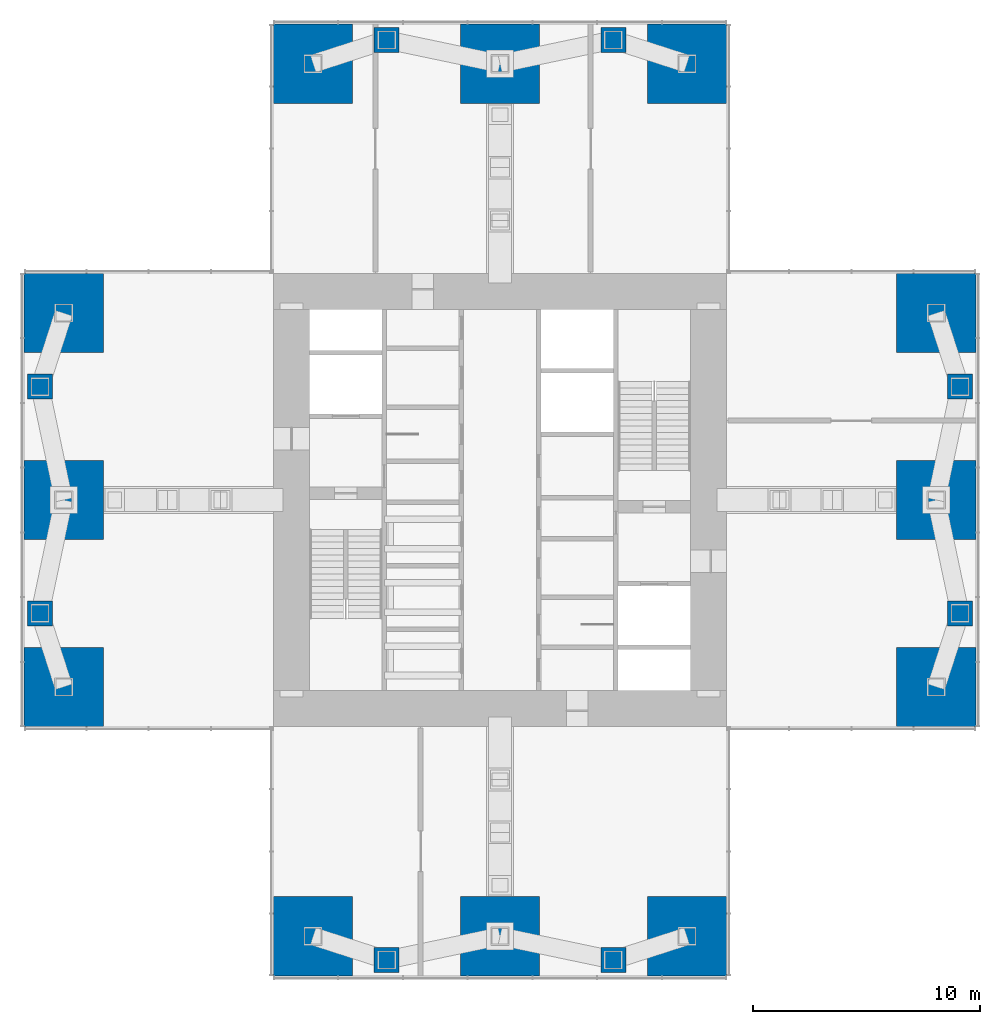
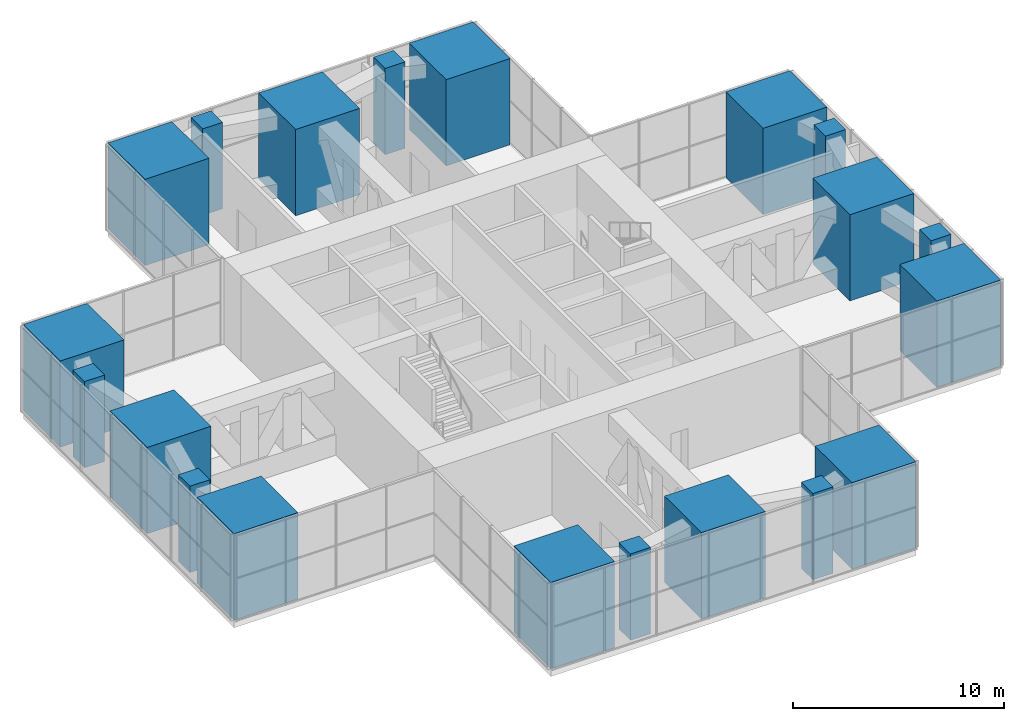
# One storey, part 1 of 12: 20 columns.
"""IFC4 building model written with IfcOpenShell, lengths in metres."""

import ifcopenshell
import ifcopenshell.guid

model = None  # the IFC model being written
_history = None  # IfcOwnerHistory: only IFC2X3 demands one
_inside = {}  # id of a spatial element -> (the spatial element, [elements in it])
_under = {}  # id of a project, library or spatial element -> (it, [spatial elements below it])
_declared = {}  # id of a project -> (the project, [libraries it declares])
_typed = {}  # id of a type object -> (the type object, [elements of that type])
_made_of = {}  # id of a material, layer set ... -> (it, [elements and type objects made of it])


def new_model(schema):
    """Start an empty IFC model of exactly this schema.

    Asked for "IFC4X3", IfcOpenShell would pick the latest addendum, in which some entities
    have other attributes; the version numbers below select the first issue.
    IFC2X3 requires an IfcOwnerHistory on every rooted entity: one is made here for all.
    """
    global model, _history
    if schema == "IFC4X3":
        model = ifcopenshell.file(schema_version=(4, 3, 0, 0))
    else:
        model = ifcopenshell.file(schema=schema)
    _inside.clear()
    _under.clear()
    _declared.clear()
    _typed.clear()
    _made_of.clear()
    _history = None
    if model.schema == "IFC2X3":
        org = make("IfcOrganization", Name="unknown")
        user = make(
            "IfcPersonAndOrganization",
            ThePerson=make("IfcPerson", FamilyName="unknown"),
            TheOrganization=org,
        )
        app = make(
            "IfcApplication",
            ApplicationDeveloper=org,
            Version="unknown",
            ApplicationFullName="unknown",
            ApplicationIdentifier="unknown",
        )
        _history = make(
            "IfcOwnerHistory",
            OwningUser=user,
            OwningApplication=app,
            ChangeAction="ADDED",
            CreationDate=0,
        )
    return model


def make(cls, **values):
    """One entity of the class cls with the attributes given. An attribute that is None is left unset."""
    return model.create_entity(
        cls, **{name: value for name, value in values.items() if value is not None}
    )


def rooted(cls, **values):
    """An entity with a GlobalId (a new one), such as an element, a storey or a relation."""
    return make(cls, GlobalId=ifcopenshell.guid.new(), OwnerHistory=_history, **values)


def si_unit(unit_type, name, prefix=None):
    """IfcSIUnit, for example si_unit("LENGTHUNIT", "METRE", prefix="MILLI")."""
    return make("IfcSIUnit", UnitType=unit_type, Prefix=prefix, Name=name)


def assignment(units):
    """IfcUnitAssignment: the units of a project."""
    return None if units is None else make("IfcUnitAssignment", Units=units)


def point(xyz):
    """IfcCartesianPoint."""
    return None if xyz is None else make("IfcCartesianPoint", Coordinates=xyz)


def direction(xyz):
    """IfcDirection."""
    return None if xyz is None else make("IfcDirection", DirectionRatios=xyz)


def frame(location, z_axis=None, x_axis=None):
    """IfcAxis2Placement3D, a coordinate frame: its origin and axes. An axis left out is left unset."""
    return make(
        "IfcAxis2Placement3D",
        Location=point(location),
        Axis=direction(z_axis),
        RefDirection=direction(x_axis),
    )


def frame_2d(location, x_axis=None):
    """IfcAxis2Placement2D, a coordinate frame in the plane: its origin and x axis."""
    return make(
        "IfcAxis2Placement2D", Location=point(location), RefDirection=direction(x_axis)
    )


def origin():
    """The frame at (0, 0, 0) with its axes left unset."""
    return frame((0.0, 0.0, 0.0))


def origin_2d():
    """The frame at (0, 0) in the plane with its x axis left unset."""
    return frame_2d((0.0, 0.0))


def place(relative_to, where):
    """IfcLocalPlacement: puts the frame where relative to a parent placement (None: the world)."""
    return make(
        "IfcLocalPlacement", PlacementRelTo=relative_to, RelativePlacement=where
    )


def context(
    kind, dimensions, precision=None, world=None, true_north=None, identifier=None
):
    """IfcGeometricRepresentationContext, for example the 3D "Model" context."""
    return make(
        "IfcGeometricRepresentationContext",
        ContextIdentifier=identifier,
        ContextType=kind,
        CoordinateSpaceDimension=dimensions,
        Precision=precision,
        WorldCoordinateSystem=world,
        TrueNorth=true_north,
    )


def subcontext(parent, identifier, kind, view, scale=None):
    """IfcGeometricRepresentationSubContext, for example "Body" below "Model"."""
    return make(
        "IfcGeometricRepresentationSubContext",
        ContextIdentifier=identifier,
        ContextType=kind,
        ParentContext=parent,
        TargetScale=scale,
        TargetView=view,
    )


def project(units=None, contexts=None):
    """IfcProject with its units and contexts."""
    return rooted(
        "IfcProject",
        Name="project",
        RepresentationContexts=contexts,
        UnitsInContext=assignment(units),
    )


def spatial(cls, under=None, at=None, **own):
    """A site, building, storey or space (cls), placed at a placement, below another one or the project."""
    s = rooted(cls, ObjectPlacement=at, **own)
    if under is not None:
        _under.setdefault(under.id(), (under, []))[1].append(s)
    return s


def profile(cls, at=None, kind="AREA", **sizes):
    """A parametric profile (cls). Its sizes go by their IFC names, for example OverallWidth=200.0."""
    return make(cls, ProfileType=kind, Position=at, **sizes)


def rectangle(**sizes):
    """IfcRectangleProfileDef."""
    return profile("IfcRectangleProfileDef", **sizes)


def extrude(swept, where, along, depth):
    """IfcExtrudedAreaSolid: the profile swept, set in the frame where, extruded along a direction by depth."""
    return make(
        "IfcExtrudedAreaSolid",
        SweptArea=swept,
        Position=where,
        ExtrudedDirection=direction(along),
        Depth=depth,
    )


def shape(context_of_items, identifier, shape_type, items):
    """IfcShapeRepresentation: the items that make up one representation, for example the "Body"."""
    return make(
        "IfcShapeRepresentation",
        ContextOfItems=context_of_items,
        RepresentationIdentifier=identifier,
        RepresentationType=shape_type,
        Items=items,
    )


def material(Name=None, Category=None):
    """IfcMaterial."""
    return make("IfcMaterial", Name=Name, Category=Category)


def material_profile(
    of_material, cross_section, Name=None, Category=None, Priority=None
):
    """IfcMaterialProfile: a cross section and its material."""
    return make(
        "IfcMaterialProfile",
        Name=Name,
        Material=of_material,
        Profile=cross_section,
        Priority=Priority,
        Category=Category,
    )


def profile_set(profiles, Name=None, composite=None):
    """IfcMaterialProfileSet."""
    return make(
        "IfcMaterialProfileSet",
        Name=Name,
        MaterialProfiles=profiles,
        CompositeProfile=composite,
    )


def made_of(thing, what):
    """Note that an element or type object is made of a material, layer set ...; save() writes the relation."""
    if what is not None:
        _made_of.setdefault(what.id(), (what, []))[1].append(thing)
    return thing


def type_object(cls, material=None, **own):
    """A type object (cls), such as IfcWallType, which elements share."""
    return made_of(rooted(cls, **own), material)


def element(
    cls,
    number,
    at=None,
    inside=None,
    cuts=None,
    type_object=None,
    material=None,
    context=None,
    identifier="Body",
    shape_type=None,
    held_by="IfcProductDefinitionShape",
    body=None,
    shapes=None,
    **own,
):
    """One element of the class cls, such as IfcWall. Its Tag is "e" and its number.

    at: its placement. inside: the storey or other place that contains it. cuts: it is an
    opening in that element (IfcRelVoidsElement). A single representation is given by context,
    identifier, shape_type and body (its items); several are given by shapes. held_by: the class
    of the entity that holds the representations. save() writes the other relations.
    """
    e = rooted(cls, Tag="e%d" % number, ObjectPlacement=at, **own)
    if body is not None:
        shapes = [shape(context, identifier, shape_type, body)]
    if shapes is not None:
        e.Representation = make(held_by, Representations=shapes)
    if inside is not None:
        _inside.setdefault(inside.id(), (inside, []))[1].append(e)
    if cuts is not None:
        rooted(
            "IfcRelVoidsElement", RelatingBuildingElement=cuts, RelatedOpeningElement=e
        )
    if type_object is not None:
        _typed.setdefault(type_object.id(), (type_object, []))[1].append(e)
    return made_of(e, material)


def aggregate(whole, parts):
    """IfcRelAggregates: a whole, such as a stair, and the parts it consists of."""
    return rooted("IfcRelAggregates", RelatingObject=whole, RelatedObjects=parts)


def save(model, path):
    """Write the relations noted so far, then the file.

    IfcRelAggregates (storeys below a building ...), IfcRelContainedInSpatialStructure (elements
    in a storey), IfcRelDefinesByType, IfcRelAssociatesMaterial and IfcRelDeclares: one each for
    every whole, place, type object, material and project.
    """
    for whole, parts in _under.values():
        aggregate(whole, parts)
    for where, things in _inside.values():
        rooted(
            "IfcRelContainedInSpatialStructure",
            RelatedElements=things,
            RelatingStructure=where,
        )
    for kind, things in _typed.values():
        rooted("IfcRelDefinesByType", RelatedObjects=things, RelatingType=kind)
    for what, things in _made_of.values():
        rooted("IfcRelAssociatesMaterial", RelatedObjects=things, RelatingMaterial=what)
    for by, libraries in _declared.values():
        rooted("IfcRelDeclares", RelatingContext=by, RelatedDefinitions=libraries)
    model.write(path)


model = new_model("IFC4")

# Units and contexts
model_context = context("Model", 3, precision=1e-05, world=origin(), true_north=direction((0.0, 1.0)))
body_context = subcontext(model_context, "Body", "Model", "MODEL_VIEW")
ifc_project = project(units=[si_unit("LENGTHUNIT", "METRE"), si_unit("AREAUNIT", "SQUARE_METRE"), si_unit("VOLUMEUNIT", "CUBIC_METRE"), si_unit("PLANEANGLEUNIT", "RADIAN"), si_unit("MASSUNIT", "GRAM", prefix="KILO")], contexts=[model_context])

# Site, building, storey
site_placement = place(None, origin())
site = spatial("IfcSite", under=ifc_project, at=site_placement, CompositionType="ELEMENT")
building_placement = place(site_placement, origin())
building = spatial("IfcBuilding", under=site, at=building_placement, Name="Svetlomir Tower", CompositionType="ELEMENT")
storey_placement = place(building_placement, frame((0.0, 0.0, 160.5)))
storey = spatial("IfcBuildingStorey", under=building, at=storey_placement, Name="L38", CompositionType="ELEMENT", Elevation=160.5)

# Columns
ifc_material_1 = material(Name="Concrete C60/75", Category="concrete")
ifc_material_profile_1 = material_profile(ifc_material_1, rectangle(XDim=1.10009765625, YDim=1.10009765625, at=origin_2d()), Name="RC 1100x1100")
ifc_profile_set_1 = profile_set([ifc_material_profile_1], Name="Concrete C60/75")
column_type_1 = type_object("IfcColumnType", Name="COLUMN RC 1100x1100", PredefinedType="COLUMN", material=ifc_profile_set_1)
for number, where, z_axis, x_axis, name in (
    (1, (16.0, 0.699951171875, 0.0), (0.0, 0.0, 1.0), (1.0, 0.0, 0.0), "Column 16/0 L38"),
    (2, (26.0, 0.699951171875, 0.0), (0.0, 0.0, 1.0), (1.0, 0.0, 0.0), "Column 26/0 L38"),
    (3, (0.699951171875, 16.0, 0.0), (0.0, 0.0, 1.0), (1.0, 0.0, 0.0), "Column 0/16 L38"),
    (4, (41.300048828125, 16.0, 0.0), (0.0, 0.0, 1.0), (1.0, 0.0, 0.0), "Column 42/16 L38"),
    (5, (0.699951171875, 26.0, 0.0), (0.0, 0.0, 1.0), (1.0, 0.0, 0.0), "Column 0/26 L38"),
    (6, (41.300048828125, 26.0, 0.0), (0.0, 0.0, 1.0), (1.0, 0.0, 0.0), "Column 42/26 L38"),
    (7, (16.0, 41.300048828125, 0.0), (0.0, 0.0, 1.0), (1.0, 0.0, 0.0), "Column 16/42 L38"),
    (8, (26.0, 41.300048828125, 0.0), (0.0, 0.0, 1.0), (1.0, 0.0, 0.0), "Column 26/42 L38"),
):
    element("IfcColumn", number, at=place(storey_placement, frame(where, z_axis=z_axis, x_axis=x_axis)), inside=storey, type_object=column_type_1, Name=name, PredefinedType="COLUMN", context=body_context, shape_type="SweptSolid", body=[
        extrude(rectangle(XDim=1.10009765625, YDim=1.10009765625, at=origin_2d()), origin(), (0.0, 0.0, 1.0), 5.0),
    ])
ifc_material_2 = material(Name="Concrete C60/75", Category="concrete")
ifc_material_profile_2 = material_profile(ifc_material_2, rectangle(XDim=3.5, YDim=3.5, at=origin_2d()), Name="RC 3500x3500")
ifc_profile_set_2 = profile_set([ifc_material_profile_2], Name="Concrete C60/75")
column_type_2 = type_object("IfcColumnType", Name="COLUMN RC 3500x3500", PredefinedType="COLUMN", material=ifc_profile_set_2)
for number, where, z_axis, x_axis, name in (
    (9, (12.75, 1.75, 0.0), (0.0, 0.0, 1.0), (1.0, 0.0, 0.0), "Column 11/0 L38"),
    (10, (21.0, 1.75, 0.0), (0.0, 0.0, 1.0), (1.0, 0.0, 0.0), "Column 21/0 L38"),
    (11, (29.25, 1.75, 0.0), (0.0, 0.0, 1.0), (1.0, 0.0, 0.0), "Column 31/0 L38"),
    (12, (1.75, 12.75, 0.0), (0.0, 0.0, 1.0), (1.0, 0.0, 0.0), "Column 0/11 L38"),
    (13, (40.25, 12.75, 0.0), (0.0, 0.0, 1.0), (1.0, 0.0, 0.0), "Column 42/11 L38"),
    (14, (1.75, 21.0, 0.0), (0.0, 0.0, 1.0), (1.0, 0.0, 0.0), "Column 0/21 L38"),
    (15, (40.25, 21.0, 0.0), (0.0, 0.0, 1.0), (1.0, 0.0, 0.0), "Column 42/21 L38"),
    (16, (1.75, 29.25, 0.0), (0.0, 0.0, 1.0), (1.0, 0.0, 0.0), "Column 0/31 L38"),
    (17, (40.25, 29.25, 0.0), (0.0, 0.0, 1.0), (1.0, 0.0, 0.0), "Column 42/31 L38"),
    (18, (12.75, 40.25, 0.0), (0.0, 0.0, 1.0), (1.0, 0.0, 0.0), "Column 11/42 L38"),
    (19, (21.0, 40.25, 0.0), (0.0, 0.0, 1.0), (1.0, 0.0, 0.0), "Column 21/42 L38"),
    (20, (29.25, 40.25, 0.0), (0.0, 0.0, 1.0), (1.0, 0.0, 0.0), "Column 31/42 L38"),
):
    element("IfcColumn", number, at=place(storey_placement, frame(where, z_axis=z_axis, x_axis=x_axis)), inside=storey, type_object=column_type_2, Name=name, PredefinedType="COLUMN", context=body_context, shape_type="SweptSolid", body=[
        extrude(rectangle(XDim=3.5, YDim=3.5, at=origin_2d()), origin(), (0.0, 0.0, 1.0), 5.0),
    ])

save(model, "model.ifc")
